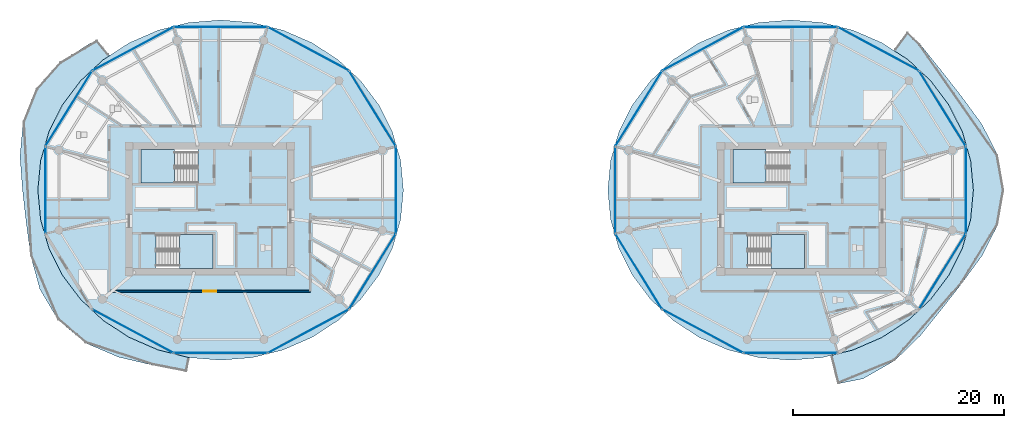
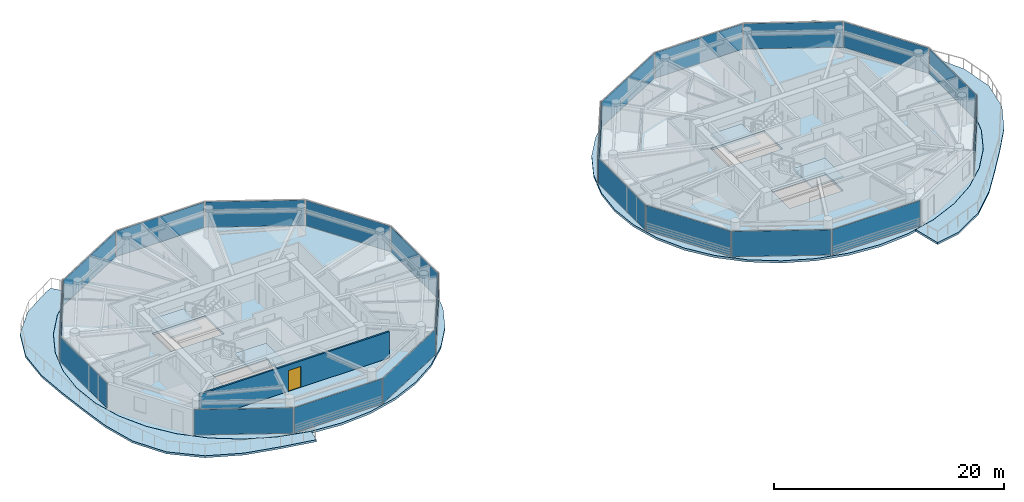
# One storey, part 12 of 25: 22 plates, 8 slabs, 1 door, 1 wall, 1 opening, 26 elements without a shape of their own.
"""IFC4 building model written with IfcOpenShell, lengths in metres."""

from ifc_helpers import new_model, si_unit, direction, frame, frame_2d, origin, origin_2d, place, context, subcontext, project, spatial, polyline, rectangle, outline, extrude, source, transform, mapped, material, layer, layer_set, type_object, type_shapes, element, fill, aggregate, save


model = new_model("IFC4")

# Units and contexts
model_context = context("Model", 3, precision=1e-05, world=origin(), true_north=direction((0.0, 1.0)))
body_context = subcontext(model_context, "Body", "Model", "MODEL_VIEW")
ifc_project = project(units=[si_unit("LENGTHUNIT", "METRE"), si_unit("AREAUNIT", "SQUARE_METRE"), si_unit("VOLUMEUNIT", "CUBIC_METRE"), si_unit("PLANEANGLEUNIT", "RADIAN"), si_unit("MASSUNIT", "GRAM", prefix="KILO")], contexts=[model_context])

# Site, building, storey
site_placement = place(None, origin())
site = spatial("IfcSite", under=ifc_project, at=site_placement, CompositionType="ELEMENT")
building_placement = place(site_placement, origin())
building = spatial("IfcBuilding", under=site, at=building_placement, Name="Norrkilde Senior Care Towers", CompositionType="ELEMENT")
storey_placement = place(building_placement, frame((0.0, 0.0, 161.75)))
storey = spatial("IfcBuildingStorey", under=building, at=storey_placement, Name="L50", CompositionType="ELEMENT", Elevation=161.75)

# Slabs
ifc_material_1 = material(Name="Concrete C50/60", Category="concrete")
ifc_layer_1 = layer(ifc_material_1, 0.215087890625)
ifc_layer_set_1 = layer_set([ifc_layer_1], Name="Concrete C50/60")
slab_type_1 = type_object("IfcSlabType", Name="Sinusoidal Balcony Ribbon Slab 215", PredefinedType="FLOOR", material=ifc_layer_set_1)
slab_1_placement = place(storey_placement, frame((0.0, 0.0, -0.215087890625)))
element("IfcSlab", 1, at=slab_1_placement, inside=storey, type_object=slab_type_1, Name="L50 Drum W Swirling Senior Balcony 1", PredefinedType="FLOOR", context=body_context, shape_type="SweptSolid", body=[
    extrude(outline(polyline([(-33.38330078125, -14.803955078125), (-36.630859375, -14.03955078125), (-39.7685546875, -12.70068359375), (-42.37255859375, -10.507568359375), (-44.09228515625, -7.59912109375), (-44.9638671875, -4.40869140625), (-45.384521484375, -1.280517578125), (-45.728759765625, 1.775390625), (-45.9677734375, 4.941650390625), (-45.674560546875, 8.2373046875), (-44.421630859375, 11.354248046875), (-42.17578125, 13.880859375), (-39.3203125, 15.677490234375), (-38.663818359375, 15.9658203125), (-37.472900390625, 14.52001953125), (-38.098388671875, 14.112548828125), (-40.2314453125, 12.12744140625), (-41.961669921875, 9.827880859375), (-43.236328125, 7.28369140625), (-44.01708984375, 4.572021484375), (-44.280029296875, 1.775390625), (-44.01708984375, -1.021240234375), (-43.236328125, -3.73291015625), (-41.961669921875, -6.277099609375), (-40.2314453125, -8.57666015625), (-38.098388671875, -10.561767578125), (-35.62744140625, -12.171875), (-32.8935546875, -13.3583984375), (-29.97998046875, -14.0849609375), (-29.92431640625, -14.089599609375), (-30.17333984375, -15.428955078125), (-30.19970703125, -15.423828125), (-33.38330078125, -14.803955078125)])), origin(), (0.0, 0.0, 1.0), 0.215087890625),
])
slab_2_placement = place(storey_placement, frame((0.0, 0.0, -0.215087890625)))
element("IfcSlab", 2, at=slab_2_placement, inside=storey, type_object=slab_type_1, Name="L50 Drum E Swirling Senior Balcony 1", PredefinedType="FLOOR", context=body_context, shape_type="SweptSolid", body=[
    extrude(outline(polyline([(43.192626953125, -7.041015625), (41.264892578125, -9.5087890625), (39.239990234375, -12.02392578125), (36.814208984375, -14.380859375), (33.818603515625, -16.08935546875), (31.438232421875, -16.56103515625), (30.78662109375, -13.8837890625), (32.8935546875, -13.3583984375), (35.62744140625, -12.171875), (38.098388671875, -10.561767578125), (40.2314453125, -8.57666015625), (41.961669921875, -6.277099609375), (43.236328125, -3.73291015625), (44.01708984375, -1.021240234375), (44.280029296875, 1.775390625), (44.01708984375, 4.572021484375), (43.236328125, 7.28369140625), (41.961669921875, 9.827880859375), (40.2314453125, 12.12744140625), (38.098388671875, 14.112548828125), (36.7373046875, 14.99951171875), (38.030029296875, 16.750244140625), (39.239990234375, 15.57470703125), (41.264892578125, 13.0595703125), (43.192626953125, 10.591796875), (45.08544921875, 8.0068359375), (46.589599609375, 5.059326171875), (47.175048828125, 1.775390625), (46.589599609375, -1.5087890625), (45.08544921875, -4.4560546875), (43.192626953125, -7.041015625)])), origin(), (0.0, 0.0, 1.0), 0.215087890625),
])

# Stair, slab
ifc_material_2 = material(Name="Concrete C45/55", Category="concrete")
stair_type = type_object("IfcStairType", Name="Core Protected Dogleg Stair Typical 3050", PredefinedType="HALF_TURN_STAIR", material=ifc_material_2)
stair_1_placement = place(storey_placement, origin())
stair_1 = element("IfcStair", 3, at=stair_1_placement, inside=storey, type_object=stair_type, Name="L50 Protected Core Stair W1", PredefinedType="HALF_TURN_STAIR")
ifc_layer_2 = layer(ifc_material_2, 0.199951171875)
ifc_layer_set_2 = layer_set([ifc_layer_2], Name="Concrete C45/55")
slab_type_2 = type_object("IfcSlabType", Name="Stair Landing Slab 200", PredefinedType="LANDING", material=ifc_layer_set_2)
slab_3_placement = place(storey_placement, frame((0.0, 0.0, 1.324951171875)))
slab_3 = element("IfcSlab", 4, at=slab_3_placement, type_object=slab_type_2, Name="ST-W1 landing 1", PredefinedType="LANDING", context=body_context, shape_type="SweptSolid", body=[
    extrude(outline(polyline([(-31.340087890625, 5.639892578125), (-34.5, 5.639892578125), (-34.5, 2.449951171875), (-31.340087890625, 2.449951171875), (-31.340087890625, 5.639892578125)])), origin(), (0.0, 0.0, 1.0), 0.199951171875),
])
aggregate(stair_1, [slab_3])

stair_2_placement = place(storey_placement, origin())
stair_2 = element("IfcStair", 5, at=stair_2_placement, inside=storey, type_object=stair_type, Name="L50 Protected Core Stair W2", PredefinedType="HALF_TURN_STAIR")
slab_4_placement = place(storey_placement, frame((0.0, 0.0, 1.324951171875)))
slab_4 = element("IfcSlab", 6, at=slab_4_placement, type_object=slab_type_2, Name="ST-W2 landing 1", PredefinedType="LANDING", context=body_context, shape_type="SweptSolid", body=[
    extrude(outline(polyline([(-30.860107421875, -5.639892578125), (-27.699951171875, -5.639892578125), (-27.699951171875, -2.449951171875), (-30.860107421875, -2.449951171875), (-30.860107421875, -5.639892578125)])), origin(), (0.0, 0.0, 1.0), 0.199951171875),
])
aggregate(stair_2, [slab_4])

stair_3_placement = place(storey_placement, origin())
stair_3 = element("IfcStair", 7, at=stair_3_placement, inside=storey, type_object=stair_type, Name="L50 Protected Core Stair E1", PredefinedType="HALF_TURN_STAIR")
slab_5_placement = place(storey_placement, frame((0.0, 0.0, 1.324951171875)))
slab_5 = element("IfcSlab", 8, at=slab_5_placement, type_object=slab_type_2, Name="ST-E1 landing 1", PredefinedType="LANDING", context=body_context, shape_type="SweptSolid", body=[
    extrude(outline(polyline([(24.659912109375, 5.639892578125), (21.5, 5.639892578125), (21.5, 2.449951171875), (24.659912109375, 2.449951171875), (24.659912109375, 5.639892578125)])), origin(), (0.0, 0.0, 1.0), 0.199951171875),
])
aggregate(stair_3, [slab_5])

stair_4_placement = place(storey_placement, origin())
stair_4 = element("IfcStair", 9, at=stair_4_placement, inside=storey, type_object=stair_type, Name="L50 Protected Core Stair E2", PredefinedType="HALF_TURN_STAIR")
slab_6_placement = place(storey_placement, frame((0.0, 0.0, 1.324951171875)))
slab_6 = element("IfcSlab", 10, at=slab_6_placement, type_object=slab_type_2, Name="ST-E2 landing 1", PredefinedType="LANDING", context=body_context, shape_type="SweptSolid", body=[
    extrude(outline(polyline([(25.139892578125, -5.639892578125), (28.300048828125, -5.639892578125), (28.300048828125, -2.449951171875), (25.139892578125, -2.449951171875), (25.139892578125, -5.639892578125)])), origin(), (0.0, 0.0, 1.0), 0.199951171875),
])
aggregate(stair_4, [slab_6])

# Slabs
ifc_layer_3 = layer(ifc_material_1, 0.239990234375)
ifc_layer_set_3 = layer_set([ifc_layer_3], Name="Concrete C50/60")
slab_type_3 = type_object("IfcSlabType", Name="Tower Residence Floor Slab 240", PredefinedType="FLOOR", material=ifc_layer_set_3)
slab_7_placement = place(storey_placement, frame((0.0, 0.0, -0.239990234375)))
element("IfcSlab", 11, at=slab_7_placement, inside=storey, type_object=slab_type_3, Name="L50 Drum W Structural Floor Slab", PredefinedType="FLOOR", context=body_context, shape_type="SweptSolid", body=[
    extrude(outline(polyline([(-10.71826171875, -3.731201171875), (-11.99267578125, -6.274658203125), (-13.722412109375, -8.573486328125), (-15.854736328125, -10.557861328125), (-18.324951171875, -12.167724609375), (-21.05810546875, -13.353759765625), (-23.970947265625, -14.080078125), (-26.97509765625, -14.32470703125), (-29.97900390625, -14.080078125), (-32.891845703125, -13.353759765625), (-35.625, -12.167724609375), (-38.09521484375, -10.557861328125), (-40.2275390625, -8.573486328125), (-41.957275390625, -6.274658203125), (-43.231689453125, -3.731201171875), (-44.01220703125, -1.020263671875), (-44.27490234375, 1.775390625), (-44.01220703125, 4.571044921875), (-43.231689453125, 7.281982421875), (-41.957275390625, 9.825439453125), (-40.2275390625, 12.124267578125), (-38.09521484375, 14.108642578125), (-35.625, 15.71826171875), (-32.891845703125, 16.904296875), (-29.97900390625, 17.630859375), (-26.97509765625, 17.875244140625), (-23.970947265625, 17.630859375), (-21.05810546875, 16.904296875), (-18.324951171875, 15.71826171875), (-15.854736328125, 14.108642578125), (-13.722412109375, 12.124267578125), (-11.99267578125, 9.825439453125), (-10.71826171875, 7.281982421875), (-9.937744140625, 4.571044921875), (-9.675048828125, 1.775390625), (-9.937744140625, -1.020263671875), (-10.71826171875, -3.731201171875)]), holes=[polyline([(-34.48193359375, 2.468017578125), (-29.117919921875, 2.468017578125), (-29.117919921875, 5.639892578125), (-34.48193359375, 5.639892578125), (-34.48193359375, 2.468017578125)]), polyline([(-27.718017578125, -5.639892578125), (-27.718017578125, -2.468017578125), (-33.08203125, -2.468017578125), (-33.08203125, -5.639892578125), (-27.718017578125, -5.639892578125)])]), origin(), (0.0, 0.0, 1.0), 0.239990234375),
])
slab_8_placement = place(storey_placement, frame((0.0, 0.0, -0.239990234375)))
element("IfcSlab", 12, at=slab_8_placement, inside=storey, type_object=slab_type_3, Name="L50 Drum E Structural Floor Slab", PredefinedType="FLOOR", context=body_context, shape_type="SweptSolid", body=[
    extrude(outline(polyline([(43.231689453125, -3.731201171875), (41.957275390625, -6.274658203125), (40.2275390625, -8.573486328125), (38.09521484375, -10.557861328125), (35.625, -12.167724609375), (32.891845703125, -13.353759765625), (29.97900390625, -14.080078125), (26.97509765625, -14.32470703125), (23.970947265625, -14.080078125), (21.05810546875, -13.353759765625), (18.324951171875, -12.167724609375), (15.854736328125, -10.557861328125), (13.722412109375, -8.573486328125), (11.99267578125, -6.274658203125), (10.71826171875, -3.731201171875), (9.937744140625, -1.020263671875), (9.675048828125, 1.775390625), (9.937744140625, 4.571044921875), (10.71826171875, 7.281982421875), (11.99267578125, 9.825439453125), (13.722412109375, 12.124267578125), (15.854736328125, 14.108642578125), (18.324951171875, 15.71826171875), (21.05810546875, 16.904296875), (23.970947265625, 17.630859375), (26.97509765625, 17.875244140625), (29.97900390625, 17.630859375), (32.891845703125, 16.904296875), (35.625, 15.71826171875), (38.09521484375, 14.108642578125), (40.2275390625, 12.124267578125), (41.957275390625, 9.825439453125), (43.231689453125, 7.281982421875), (44.01220703125, 4.571044921875), (44.27490234375, 1.775390625), (44.01220703125, -1.020263671875), (43.231689453125, -3.731201171875)]), holes=[polyline([(21.51806640625, 2.468017578125), (26.882080078125, 2.468017578125), (26.882080078125, 5.639892578125), (21.51806640625, 5.639892578125), (21.51806640625, 2.468017578125)]), polyline([(28.281982421875, -5.639892578125), (28.281982421875, -2.468017578125), (22.91796875, -2.468017578125), (22.91796875, -5.639892578125), (28.281982421875, -5.639892578125)])]), origin(), (0.0, 0.0, 1.0), 0.239990234375),
])

# Curtain wall, plate
ifc_material_3 = material(Name="Triple Low-E Insulated Glazing", Category="glass")
ifc_layer_4 = layer(ifc_material_3, 0.18994140625)
ifc_layer_set_4 = layer_set([ifc_layer_4], Name="Triple Low-E Insulated Glazing")
curtain_wall_type = type_object("IfcCurtainWallType", Name="CW4 Zone 3 Senior Residence Curtain Wall", PredefinedType="NOTDEFINED", material=ifc_layer_set_4)
curtain_wall_1_placement = place(storey_placement, origin())
curtain_wall_1 = element("IfcCurtainWall", 13, at=curtain_wall_1_placement, inside=storey, type_object=curtain_wall_type, Name="L50 Drum W Curtain Wall 00", PredefinedType="NOTDEFINED")
ifc_layer_5 = layer(ifc_material_3, 0.035888671875)
ifc_layer_set_5 = layer_set([ifc_layer_5], Name="Triple Low-E Insulated Glazing")
plate_type = type_object("IfcPlateType", Name="Triple Low-E Vision Curtain Panel 36", PredefinedType="CURTAIN_PANEL", material=ifc_layer_set_5)
shared_shape_1 = source(origin(), body_context, "Body", "SweptSolid", [
    extrude(rectangle(XDim=8.301513671875, YDim=0.035888671875, at=origin_2d()), origin(), (0.0, 0.0, 1.0), 2.68994140625),
])
plate_1_placement = place(storey_placement, frame((-12.603759765625, 9.4931640625, 0.06005859375), z_axis=(0.0, 0.0, 1.0), x_axis=(0.52737270789, -0.84963405474, 0.0)))
plate_1 = element("IfcPlate", 14, at=plate_1_placement, type_object=plate_type, Name="CW-4 panel 1.1", PredefinedType="CURTAIN_PANEL", context=body_context, shape_type="MappedRepresentation", body=[
    mapped(shared_shape_1, transform((0.0, 0.0, 0.0), x_axis=(1.0, 0.0, 0.0), y_axis=(0.0, 1.0, 0.0), z_axis=(0.0, 0.0, 1.0), scale=1.0)),
])
aggregate(curtain_wall_1, [plate_1])

curtain_wall_2_placement = place(storey_placement, origin())
curtain_wall_2 = element("IfcCurtainWall", 15, at=curtain_wall_2_placement, inside=storey, type_object=curtain_wall_type, Name="L50 Drum W Curtain Wall 04", PredefinedType="NOTDEFINED")
plate_2_placement = place(storey_placement, frame((-41.346435546875, 9.4931640625, 0.06005859375), z_axis=(0.0, 0.0, 1.0), x_axis=(0.52737270789, 0.84963405474, 0.0)))
plate_2 = element("IfcPlate", 16, at=plate_2_placement, type_object=plate_type, Name="CW-4 panel 1.1", PredefinedType="CURTAIN_PANEL", context=body_context, shape_type="MappedRepresentation", body=[
    mapped(shared_shape_1, transform((0.0, 0.0, 0.0), x_axis=(1.0, 0.0, 0.0), y_axis=(0.0, 1.0, 0.0), z_axis=(0.0, 0.0, 1.0), scale=1.0)),
])
aggregate(curtain_wall_2, [plate_2])

curtain_wall_3_placement = place(storey_placement, origin())
curtain_wall_3 = element("IfcCurtainWall", 17, at=curtain_wall_3_placement, inside=storey, type_object=curtain_wall_type, Name="L50 Drum W Curtain Wall 10", PredefinedType="NOTDEFINED")
plate_3_placement = place(storey_placement, frame((-12.603759765625, -5.9423828125, 0.06005859375), z_axis=(0.0, 0.0, 1.0), x_axis=(-0.52737270789, -0.84963405474, 0.0)))
plate_3 = element("IfcPlate", 18, at=plate_3_placement, type_object=plate_type, Name="CW-4 panel 1.1", PredefinedType="CURTAIN_PANEL", context=body_context, shape_type="MappedRepresentation", body=[
    mapped(shared_shape_1, transform((0.0, 0.0, 0.0), x_axis=(1.0, 0.0, 0.0), y_axis=(0.0, 1.0, 0.0), z_axis=(0.0, 0.0, 1.0), scale=1.0)),
])
aggregate(curtain_wall_3, [plate_3])

curtain_wall_4_placement = place(storey_placement, origin())
curtain_wall_4 = element("IfcCurtainWall", 19, at=curtain_wall_4_placement, inside=storey, type_object=curtain_wall_type, Name="L50 Drum E Curtain Wall 00", PredefinedType="NOTDEFINED")
plate_4_placement = place(storey_placement, frame((41.346435546875, 9.4931640625, 0.06005859375), z_axis=(0.0, 0.0, 1.0), x_axis=(0.52737270789, -0.84963405474, 0.0)))
plate_4 = element("IfcPlate", 20, at=plate_4_placement, type_object=plate_type, Name="CW-4 panel 1.1", PredefinedType="CURTAIN_PANEL", context=body_context, shape_type="MappedRepresentation", body=[
    mapped(shared_shape_1, transform((0.0, 0.0, 0.0), x_axis=(1.0, 0.0, 0.0), y_axis=(0.0, 1.0, 0.0), z_axis=(0.0, 0.0, 1.0), scale=1.0)),
])
aggregate(curtain_wall_4, [plate_4])

curtain_wall_5_placement = place(storey_placement, origin())
curtain_wall_5 = element("IfcCurtainWall", 21, at=curtain_wall_5_placement, inside=storey, type_object=curtain_wall_type, Name="L50 Drum E Curtain Wall 04", PredefinedType="NOTDEFINED")
plate_5_placement = place(storey_placement, frame((12.603759765625, 9.4931640625, 0.06005859375), z_axis=(0.0, 0.0, 1.0), x_axis=(0.52737270789, 0.84963405474, 0.0)))
plate_5 = element("IfcPlate", 22, at=plate_5_placement, type_object=plate_type, Name="CW-4 panel 1.1", PredefinedType="CURTAIN_PANEL", context=body_context, shape_type="MappedRepresentation", body=[
    mapped(shared_shape_1, transform((0.0, 0.0, 0.0), x_axis=(1.0, 0.0, 0.0), y_axis=(0.0, 1.0, 0.0), z_axis=(0.0, 0.0, 1.0), scale=1.0)),
])
aggregate(curtain_wall_5, [plate_5])

curtain_wall_6_placement = place(storey_placement, origin())
curtain_wall_6 = element("IfcCurtainWall", 23, at=curtain_wall_6_placement, inside=storey, type_object=curtain_wall_type, Name="L50 Drum E Curtain Wall 06", PredefinedType="NOTDEFINED")
plate_6_placement = place(storey_placement, frame((12.603759765625, -5.9423828125, 0.06005859375), z_axis=(0.0, 0.0, 1.0), x_axis=(-0.52737270789, 0.84963405474, 0.0)))
plate_6 = element("IfcPlate", 24, at=plate_6_placement, type_object=plate_type, Name="CW-4 panel 1.1", PredefinedType="CURTAIN_PANEL", context=body_context, shape_type="MappedRepresentation", body=[
    mapped(shared_shape_1, transform((0.0, 0.0, 0.0), x_axis=(1.0, 0.0, 0.0), y_axis=(0.0, 1.0, 0.0), z_axis=(0.0, 0.0, 1.0), scale=1.0)),
])
aggregate(curtain_wall_6, [plate_6])

curtain_wall_7_placement = place(storey_placement, origin())
curtain_wall_7 = element("IfcCurtainWall", 25, at=curtain_wall_7_placement, inside=storey, type_object=curtain_wall_type, Name="L50 Drum E Curtain Wall 10", PredefinedType="NOTDEFINED")
plate_7_placement = place(storey_placement, frame((41.346435546875, -5.9423828125, 0.06005859375), z_axis=(0.0, 0.0, 1.0), x_axis=(-0.52737270789, -0.84963405474, 0.0)))
plate_7 = element("IfcPlate", 26, at=plate_7_placement, type_object=plate_type, Name="CW-4 panel 1.1", PredefinedType="CURTAIN_PANEL", context=body_context, shape_type="MappedRepresentation", body=[
    mapped(shared_shape_1, transform((0.0, 0.0, 0.0), x_axis=(1.0, 0.0, 0.0), y_axis=(0.0, 1.0, 0.0), z_axis=(0.0, 0.0, 1.0), scale=1.0)),
])
aggregate(curtain_wall_7, [plate_7])

curtain_wall_8_placement = place(storey_placement, origin())
curtain_wall_8 = element("IfcCurtainWall", 27, at=curtain_wall_8_placement, inside=storey, type_object=curtain_wall_type, Name="L50 Drum W Curtain Wall 01", PredefinedType="NOTDEFINED")
shared_shape_2 = source(origin(), body_context, "Body", "SweptSolid", [
    extrude(rectangle(XDim=8.61181640625, YDim=0.035888671875, at=origin_2d()), origin(), (0.0, 0.0, 1.0), 2.68994140625),
])
plate_8_placement = place(storey_placement, frame((-18.677734375, 15.142822265625, 0.06005859375), z_axis=(0.0, 0.0, 1.0), x_axis=(0.880999524059, -0.47311715104, 0.0)))
plate_8 = element("IfcPlate", 28, at=plate_8_placement, type_object=plate_type, Name="CW-4 panel 1.1", PredefinedType="CURTAIN_PANEL", context=body_context, shape_type="MappedRepresentation", body=[
    mapped(shared_shape_2, transform((0.0, 0.0, 0.0), x_axis=(1.0, 0.0, 0.0), y_axis=(0.0, 1.0, 0.0), z_axis=(0.0, 0.0, 1.0), scale=1.0)),
])
aggregate(curtain_wall_8, [plate_8])

curtain_wall_9_placement = place(storey_placement, origin())
curtain_wall_9 = element("IfcCurtainWall", 29, at=curtain_wall_9_placement, inside=storey, type_object=curtain_wall_type, Name="L50 Drum W Curtain Wall 03", PredefinedType="NOTDEFINED")
plate_9_placement = place(storey_placement, frame((-35.272216796875, 15.142822265625, 0.06005859375), z_axis=(0.0, 0.0, 1.0), x_axis=(0.880999524059, 0.47311715104, 0.0)))
plate_9 = element("IfcPlate", 30, at=plate_9_placement, type_object=plate_type, Name="CW-4 panel 1.1", PredefinedType="CURTAIN_PANEL", context=body_context, shape_type="MappedRepresentation", body=[
    mapped(shared_shape_2, transform((0.0, 0.0, 0.0), x_axis=(1.0, 0.0, 0.0), y_axis=(0.0, 1.0, 0.0), z_axis=(0.0, 0.0, 1.0), scale=1.0)),
])
aggregate(curtain_wall_9, [plate_9])

curtain_wall_10_placement = place(storey_placement, origin())
curtain_wall_10 = element("IfcCurtainWall", 31, at=curtain_wall_10_placement, inside=storey, type_object=curtain_wall_type, Name="L50 Drum W Curtain Wall 07", PredefinedType="NOTDEFINED")
plate_10_placement = place(storey_placement, frame((-35.272216796875, -11.59228515625, 0.06005859375), z_axis=(0.0, 0.0, 1.0), x_axis=(-0.880999524059, 0.47311715104, 0.0)))
plate_10 = element("IfcPlate", 32, at=plate_10_placement, type_object=plate_type, Name="CW-4 panel 1.1", PredefinedType="CURTAIN_PANEL", context=body_context, shape_type="MappedRepresentation", body=[
    mapped(shared_shape_2, transform((0.0, 0.0, 0.0), x_axis=(1.0, 0.0, 0.0), y_axis=(0.0, 1.0, 0.0), z_axis=(0.0, 0.0, 1.0), scale=1.0)),
])
aggregate(curtain_wall_10, [plate_10])

curtain_wall_11_placement = place(storey_placement, origin())
curtain_wall_11 = element("IfcCurtainWall", 33, at=curtain_wall_11_placement, inside=storey, type_object=curtain_wall_type, Name="L50 Drum W Curtain Wall 09", PredefinedType="NOTDEFINED")
plate_11_placement = place(storey_placement, frame((-18.677734375, -11.59228515625, 0.06005859375), z_axis=(0.0, 0.0, 1.0), x_axis=(-0.880999524059, -0.47311715104, 0.0)))
plate_11 = element("IfcPlate", 34, at=plate_11_placement, type_object=plate_type, Name="CW-4 panel 1.1", PredefinedType="CURTAIN_PANEL", context=body_context, shape_type="MappedRepresentation", body=[
    mapped(shared_shape_2, transform((0.0, 0.0, 0.0), x_axis=(1.0, 0.0, 0.0), y_axis=(0.0, 1.0, 0.0), z_axis=(0.0, 0.0, 1.0), scale=1.0)),
])
aggregate(curtain_wall_11, [plate_11])

curtain_wall_12_placement = place(storey_placement, origin())
curtain_wall_12 = element("IfcCurtainWall", 35, at=curtain_wall_12_placement, inside=storey, type_object=curtain_wall_type, Name="L50 Drum E Curtain Wall 01", PredefinedType="NOTDEFINED")
plate_12_placement = place(storey_placement, frame((35.272216796875, 15.142822265625, 0.06005859375), z_axis=(0.0, 0.0, 1.0), x_axis=(0.880999524059, -0.47311715104, 0.0)))
plate_12 = element("IfcPlate", 36, at=plate_12_placement, type_object=plate_type, Name="CW-4 panel 1.1", PredefinedType="CURTAIN_PANEL", context=body_context, shape_type="MappedRepresentation", body=[
    mapped(shared_shape_2, transform((0.0, 0.0, 0.0), x_axis=(1.0, 0.0, 0.0), y_axis=(0.0, 1.0, 0.0), z_axis=(0.0, 0.0, 1.0), scale=1.0)),
])
aggregate(curtain_wall_12, [plate_12])

curtain_wall_13_placement = place(storey_placement, origin())
curtain_wall_13 = element("IfcCurtainWall", 37, at=curtain_wall_13_placement, inside=storey, type_object=curtain_wall_type, Name="L50 Drum E Curtain Wall 03", PredefinedType="NOTDEFINED")
plate_13_placement = place(storey_placement, frame((18.677734375, 15.142822265625, 0.06005859375), z_axis=(0.0, 0.0, 1.0), x_axis=(0.880999524059, 0.47311715104, 0.0)))
plate_13 = element("IfcPlate", 38, at=plate_13_placement, type_object=plate_type, Name="CW-4 panel 1.1", PredefinedType="CURTAIN_PANEL", context=body_context, shape_type="MappedRepresentation", body=[
    mapped(shared_shape_2, transform((0.0, 0.0, 0.0), x_axis=(1.0, 0.0, 0.0), y_axis=(0.0, 1.0, 0.0), z_axis=(0.0, 0.0, 1.0), scale=1.0)),
])
aggregate(curtain_wall_13, [plate_13])

curtain_wall_14_placement = place(storey_placement, origin())
curtain_wall_14 = element("IfcCurtainWall", 39, at=curtain_wall_14_placement, inside=storey, type_object=curtain_wall_type, Name="L50 Drum E Curtain Wall 07", PredefinedType="NOTDEFINED")
plate_14_placement = place(storey_placement, frame((18.677734375, -11.59228515625, 0.06005859375), z_axis=(0.0, 0.0, 1.0), x_axis=(-0.880999524059, 0.47311715104, 0.0)))
plate_14 = element("IfcPlate", 40, at=plate_14_placement, type_object=plate_type, Name="CW-4 panel 1.1", PredefinedType="CURTAIN_PANEL", context=body_context, shape_type="MappedRepresentation", body=[
    mapped(shared_shape_2, transform((0.0, 0.0, 0.0), x_axis=(1.0, 0.0, 0.0), y_axis=(0.0, 1.0, 0.0), z_axis=(0.0, 0.0, 1.0), scale=1.0)),
])
aggregate(curtain_wall_14, [plate_14])

curtain_wall_15_placement = place(storey_placement, origin())
curtain_wall_15 = element("IfcCurtainWall", 41, at=curtain_wall_15_placement, inside=storey, type_object=curtain_wall_type, Name="L50 Drum W Curtain Wall 02", PredefinedType="NOTDEFINED")
shared_shape_3 = source(origin(), body_context, "Body", "SweptSolid", [
    extrude(rectangle(XDim=8.762939453125, YDim=0.035888671875, at=origin_2d()), origin(), (0.0, 0.0, 1.0), 2.68994140625),
])
plate_15_placement = place(storey_placement, frame((-26.97509765625, 17.2109375, 0.06005859375), z_axis=(0.0, 0.0, 1.0), x_axis=(1.0, 0.0, 0.0)))
plate_15 = element("IfcPlate", 42, at=plate_15_placement, type_object=plate_type, Name="CW-4 panel 1.1", PredefinedType="CURTAIN_PANEL", context=body_context, shape_type="MappedRepresentation", body=[
    mapped(shared_shape_3, transform((0.0, 0.0, 0.0), x_axis=(1.0, 0.0, 0.0), y_axis=(0.0, 1.0, 0.0), z_axis=(0.0, 0.0, 1.0), scale=1.0)),
])
aggregate(curtain_wall_15, [plate_15])

curtain_wall_16_placement = place(storey_placement, origin())
curtain_wall_16 = element("IfcCurtainWall", 43, at=curtain_wall_16_placement, inside=storey, type_object=curtain_wall_type, Name="L50 Drum W Curtain Wall 08", PredefinedType="NOTDEFINED")
plate_16_placement = place(storey_placement, frame((-26.97509765625, -13.66015625, 0.06005859375), z_axis=(0.0, 0.0, 1.0), x_axis=(-1.0, 0.0, 0.0)))
plate_16 = element("IfcPlate", 44, at=plate_16_placement, type_object=plate_type, Name="CW-4 panel 1.1", PredefinedType="CURTAIN_PANEL", context=body_context, shape_type="MappedRepresentation", body=[
    mapped(shared_shape_3, transform((0.0, 0.0, 0.0), x_axis=(1.0, 0.0, 0.0), y_axis=(0.0, 1.0, 0.0), z_axis=(0.0, 0.0, 1.0), scale=1.0)),
])
aggregate(curtain_wall_16, [plate_16])

curtain_wall_17_placement = place(storey_placement, origin())
curtain_wall_17 = element("IfcCurtainWall", 45, at=curtain_wall_17_placement, inside=storey, type_object=curtain_wall_type, Name="L50 Drum E Curtain Wall 02", PredefinedType="NOTDEFINED")
plate_17_placement = place(storey_placement, frame((26.97509765625, 17.2109375, 0.06005859375), z_axis=(0.0, 0.0, 1.0), x_axis=(1.0, 0.0, 0.0)))
plate_17 = element("IfcPlate", 46, at=plate_17_placement, type_object=plate_type, Name="CW-4 panel 1.1", PredefinedType="CURTAIN_PANEL", context=body_context, shape_type="MappedRepresentation", body=[
    mapped(shared_shape_3, transform((0.0, 0.0, 0.0), x_axis=(1.0, 0.0, 0.0), y_axis=(0.0, 1.0, 0.0), z_axis=(0.0, 0.0, 1.0), scale=1.0)),
])
aggregate(curtain_wall_17, [plate_17])

curtain_wall_18_placement = place(storey_placement, origin())
curtain_wall_18 = element("IfcCurtainWall", 47, at=curtain_wall_18_placement, inside=storey, type_object=curtain_wall_type, Name="L50 Drum E Curtain Wall 08", PredefinedType="NOTDEFINED")
plate_18_placement = place(storey_placement, frame((26.97509765625, -13.66015625, 0.06005859375), z_axis=(0.0, 0.0, 1.0), x_axis=(-1.0, 0.0, 0.0)))
plate_18 = element("IfcPlate", 48, at=plate_18_placement, type_object=plate_type, Name="CW-4 panel 1.1", PredefinedType="CURTAIN_PANEL", context=body_context, shape_type="MappedRepresentation", body=[
    mapped(shared_shape_3, transform((0.0, 0.0, 0.0), x_axis=(1.0, 0.0, 0.0), y_axis=(0.0, 1.0, 0.0), z_axis=(0.0, 0.0, 1.0), scale=1.0)),
])
aggregate(curtain_wall_18, [plate_18])

curtain_wall_19_placement = place(storey_placement, origin())
curtain_wall_19 = element("IfcCurtainWall", 49, at=curtain_wall_19_placement, inside=storey, type_object=curtain_wall_type, Name="L50 Drum W Curtain Wall 05", PredefinedType="NOTDEFINED")
shared_shape_4 = source(origin(), body_context, "Body", "SweptSolid", [
    extrude(rectangle(XDim=8.141845703125, YDim=0.035888671875, at=origin_2d()), origin(), (0.0, 0.0, 1.0), 2.68994140625),
])
type_shapes(plate_type, [shared_shape_1, shared_shape_2, shared_shape_3, shared_shape_4])
plate_19_placement = place(storey_placement, frame((-43.569580078125, 1.775390625, 0.06005859375), z_axis=(0.0, 0.0, 1.0), x_axis=(0.0, 1.0, 0.0)))
plate_19 = element("IfcPlate", 50, at=plate_19_placement, type_object=plate_type, Name="CW-4 panel 1.1", PredefinedType="CURTAIN_PANEL", context=body_context, shape_type="MappedRepresentation", body=[
    mapped(shared_shape_4, transform((0.0, 0.0, 0.0), x_axis=(1.0, 0.0, 0.0), y_axis=(0.0, 1.0, 0.0), z_axis=(0.0, 0.0, 1.0), scale=1.0)),
])
aggregate(curtain_wall_19, [plate_19])

curtain_wall_20_placement = place(storey_placement, origin())
curtain_wall_20 = element("IfcCurtainWall", 51, at=curtain_wall_20_placement, inside=storey, type_object=curtain_wall_type, Name="L50 Drum W Curtain Wall 11", PredefinedType="NOTDEFINED")
plate_20_placement = place(storey_placement, frame((-10.38037109375, 1.775390625, 0.06005859375), z_axis=(0.0, 0.0, 1.0), x_axis=(0.0, -1.0, 0.0)))
plate_20 = element("IfcPlate", 52, at=plate_20_placement, type_object=plate_type, Name="CW-4 panel 1.1", PredefinedType="CURTAIN_PANEL", context=body_context, shape_type="MappedRepresentation", body=[
    mapped(shared_shape_4, transform((0.0, 0.0, 0.0), x_axis=(1.0, 0.0, 0.0), y_axis=(0.0, 1.0, 0.0), z_axis=(0.0, 0.0, 1.0), scale=1.0)),
])
aggregate(curtain_wall_20, [plate_20])

curtain_wall_21_placement = place(storey_placement, origin())
curtain_wall_21 = element("IfcCurtainWall", 53, at=curtain_wall_21_placement, inside=storey, type_object=curtain_wall_type, Name="L50 Drum E Curtain Wall 05", PredefinedType="NOTDEFINED")
plate_21_placement = place(storey_placement, frame((10.38037109375, 1.775390625, 0.06005859375), z_axis=(0.0, 0.0, 1.0), x_axis=(0.0, 1.0, 0.0)))
plate_21 = element("IfcPlate", 54, at=plate_21_placement, type_object=plate_type, Name="CW-4 panel 1.1", PredefinedType="CURTAIN_PANEL", context=body_context, shape_type="MappedRepresentation", body=[
    mapped(shared_shape_4, transform((0.0, 0.0, 0.0), x_axis=(1.0, 0.0, 0.0), y_axis=(0.0, 1.0, 0.0), z_axis=(0.0, 0.0, 1.0), scale=1.0)),
])
aggregate(curtain_wall_21, [plate_21])

curtain_wall_22_placement = place(storey_placement, origin())
curtain_wall_22 = element("IfcCurtainWall", 55, at=curtain_wall_22_placement, inside=storey, type_object=curtain_wall_type, Name="L50 Drum E Curtain Wall 11", PredefinedType="NOTDEFINED")
plate_22_placement = place(storey_placement, frame((43.569580078125, 1.775390625, 0.06005859375), z_axis=(0.0, 0.0, 1.0), x_axis=(0.0, -1.0, 0.0)))
plate_22 = element("IfcPlate", 56, at=plate_22_placement, type_object=plate_type, Name="CW-4 panel 1.1", PredefinedType="CURTAIN_PANEL", context=body_context, shape_type="MappedRepresentation", body=[
    mapped(shared_shape_4, transform((0.0, 0.0, 0.0), x_axis=(1.0, 0.0, 0.0), y_axis=(0.0, 1.0, 0.0), z_axis=(0.0, 0.0, 1.0), scale=1.0)),
])
aggregate(curtain_wall_22, [plate_22])

# Wall, opening, door
ifc_material_4 = material(Name="Gypsum Acoustic Board")
ifc_layer_6 = layer(ifc_material_4, 0.1650390625)
ifc_layer_set_6 = layer_set([ifc_layer_6], Name="Gypsum Acoustic Board")
wall_type = type_object("IfcWallType", Name="Corridor Rated Partition 165", PredefinedType="PARTITIONING", material=ifc_layer_set_6)
shared_shape_5 = source(origin(), body_context, "Body", "SweptSolid", [
    extrude(rectangle(XDim=19.0, YDim=0.1650390625, at=frame_2d((9.5, 0.0))), origin(), (0.0, 0.0, 1.0), 2.794921875),
])
type_shapes(wall_type, [shared_shape_5])
wall_placement = place(storey_placement, frame((-18.5, -7.800048828125, 0.0), z_axis=(0.0, 0.0, 1.0), x_axis=(-1.0, 0.0, 0.0)))
wall = element("IfcWall", 57, at=wall_placement, inside=storey, type_object=wall_type, Name="WL-INT-L50-W-CRW-S-0", PredefinedType="PARTITIONING", context=body_context, shape_type="MappedRepresentation", body=[
    mapped(shared_shape_5, transform((0.0, 0.0, 0.0), x_axis=(1.0, 0.0, 0.0), y_axis=(0.0, 1.0, 0.0), z_axis=(0.0, 0.0, 1.0), scale=1.0)),
])
opening_placement = place(wall_placement, frame((8.875, 0.0, 0.0)))
opening = element("IfcOpeningElement", 58, at=opening_placement, cuts=wall, Name="Opening D-05", PredefinedType="OPENING", context=body_context, shape_type="SweptSolid", body=[
    extrude(rectangle(XDim=1.25, YDim=2.199951171875, at=frame_2d((0.625, 1.10009765625))), frame((0.0, 0.092529296875, 0.0), z_axis=(0.0, -1.0, 0.0), x_axis=(1.0, 0.0, 0.0)), (0.0, 0.0, 1.0), 0.18505859375),
])
ifc_material_5 = material(Name="Nordic Ash Timber", Category="wood")
door_type = type_object("IfcDoorType", Name="Care Bedroom Bariatric Door 1250x2200", OperationType="NOTDEFINED", PredefinedType="DOOR", material=ifc_material_5)
shared_shape_6 = source(origin(), body_context, "Body", "SweptSolid", [
    extrude(rectangle(XDim=1.25, YDim=2.199951171875, at=frame_2d((0.625, 1.10009765625))), frame((0.0, 0.02490234375, 0.0), z_axis=(0.0, -1.0, 0.0), x_axis=(1.0, 0.0, 0.0)), (0.0, 0.0, 1.0), 0.050048828125),
])
type_shapes(door_type, [shared_shape_6])
door_placement = place(opening_placement, frame((1.25, 0.0, 0.0), z_axis=(0.0, 0.0, 1.0), x_axis=(-1.0, 0.0, 0.0)))
door = element("IfcDoor", 59, at=door_placement, inside=storey, type_object=door_type, Name="L50 Household Communal Dining Salon Door", OperationType="SINGLE_SWING_LEFT", OverallHeight=2.199951171875, OverallWidth=1.25, PredefinedType="DOOR", context=body_context, shape_type="MappedRepresentation", body=[
    mapped(shared_shape_6, transform((0.0, 0.0, 0.0), x_axis=(1.0, 0.0, 0.0), y_axis=(0.0, 1.0, 0.0), z_axis=(0.0, 0.0, 1.0), scale=1.0)),
])
fill(opening, door)

save(model, "model.ifc")
